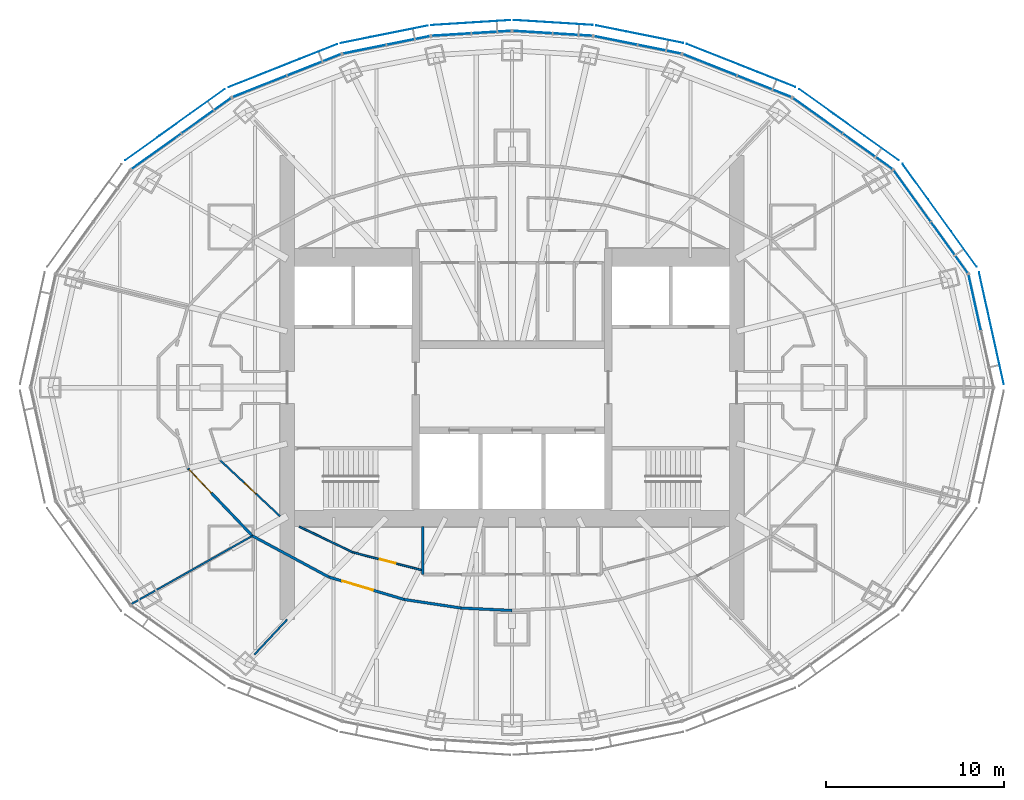
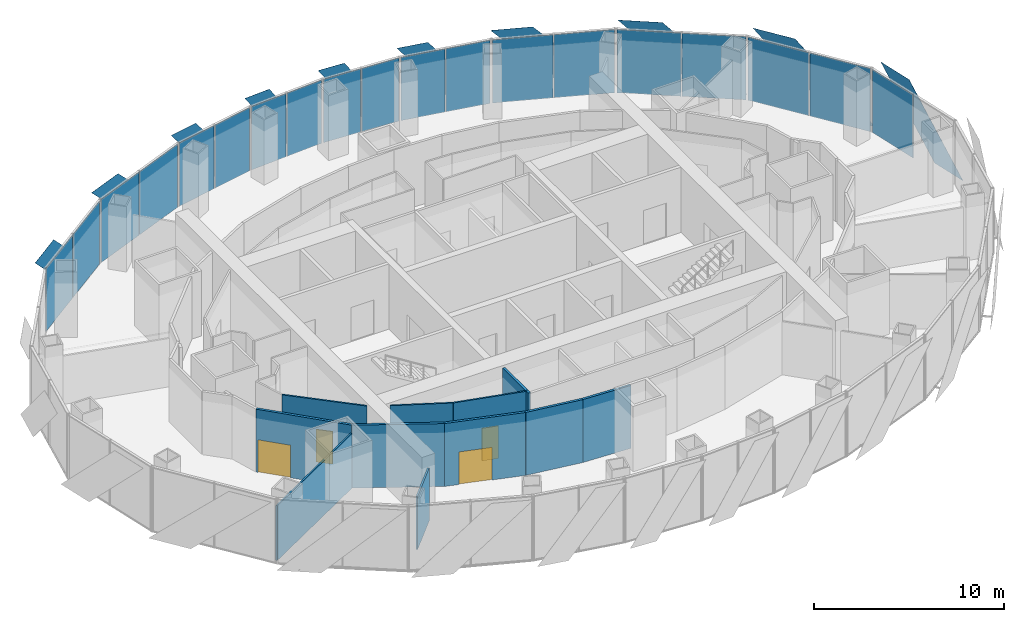
# One storey, part 11 of 17: 29 plates, 11 walls, 4 doors, 4 openings, 10 elements without a shape of their own.
"""IFC4 building model written with IfcOpenShell, lengths in metres."""

from ifc_helpers import new_model, si_unit, direction, frame, frame_2d, origin, origin_2d, place, context, subcontext, project, spatial, polyline, rectangle, outline, extrude, material, layer, layer_set, type_object, element, fill, aggregate, save


model = new_model("IFC4")

# Units and contexts
model_context = context("Model", 3, precision=1e-05, world=origin(), true_north=direction((0.0, 1.0)))
body_context = subcontext(model_context, "Body", "Model", "MODEL_VIEW")
ifc_project = project(units=[si_unit("LENGTHUNIT", "METRE"), si_unit("AREAUNIT", "SQUARE_METRE"), si_unit("VOLUMEUNIT", "CUBIC_METRE"), si_unit("PLANEANGLEUNIT", "RADIAN"), si_unit("MASSUNIT", "GRAM", prefix="KILO")], contexts=[model_context])

# Site, building, storey
site_placement = place(None, origin())
site = spatial("IfcSite", under=ifc_project, at=site_placement, CompositionType="ELEMENT")
building_placement = place(site_placement, origin())
building = spatial("IfcBuilding", under=site, at=building_placement, Name="Lantaw Convention Tower", CompositionType="ELEMENT")
storey_placement = place(building_placement, frame((0.0, 0.0, 207.39990234375)))
storey = spatial("IfcBuildingStorey", under=building, at=storey_placement, Name="L48", CompositionType="ELEMENT", Elevation=207.39990234375)

# Curtain wall, plate
ifc_material_1 = material(Name="Aluminium framed curtain wall", Category="aluminium")
curtain_wall_type = type_object("IfcCurtainWallType", Name="Office curtain wall high rise, pale aluminium", PredefinedType="USERDEFINED", material=ifc_material_1)
curtain_wall_1_placement = place(storey_placement, origin())
curtain_wall_1 = element("IfcCurtainWall", 1, at=curtain_wall_1_placement, inside=storey, type_object=curtain_wall_type, Name="Office curtain wall high rise, pale aluminium L48", ObjectType="UNITISED CURTAIN WALL", PredefinedType="USERDEFINED")
ifc_material_2 = material(Name="Clear insulating glass", Category="glass")
ifc_layer_1 = layer(ifc_material_2, 0.028076171875)
ifc_layer_set_1 = layer_set([ifc_layer_1], Name="CW-O2 panel 28")
plate_type_1 = type_object("IfcPlateType", Name="CW-O2 panel 28", PredefinedType="CURTAIN_PANEL", material=ifc_layer_set_1)
plate_1_placement = place(storey_placement, frame((25.945556640625, 4.769287109375, -0.0849609375), z_axis=(0.0, 0.0, 1.0), x_axis=(-0.215891333626, 0.976417396437, 0.0)))
plate_1 = element("IfcPlate", 2, at=plate_1_placement, type_object=plate_type_1, Name="CW-O2 panel 2.1", PredefinedType="CURTAIN_PANEL", context=body_context, shape_type="SweptSolid", body=[
    extrude(rectangle(XDim=3.169677734375, YDim=0.028076171875, at=origin_2d()), origin(), (0.0, 0.0, 1.0), 4.070068359375),
])
aggregate(curtain_wall_1, [plate_1])

# Curtain wall, plates
curtain_wall_2_placement = place(storey_placement, origin())
curtain_wall_2 = element("IfcCurtainWall", 3, at=curtain_wall_2_placement, inside=storey, type_object=curtain_wall_type, Name="Office curtain wall high rise, pale aluminium L48", ObjectType="UNITISED CURTAIN WALL", PredefinedType="USERDEFINED")
plate_2_placement = place(storey_placement, frame((24.527099609375, 7.852294921875, -0.0849609375), z_axis=(0.0, 0.0, 1.0), x_axis=(-0.585157643865, 0.810919559405, 0.0)))
plate_2 = element("IfcPlate", 4, at=plate_2_placement, type_object=plate_type_1, Name="CW-O2 panel 1.1", PredefinedType="CURTAIN_PANEL", context=body_context, shape_type="SweptSolid", body=[
    extrude(rectangle(XDim=3.500732421875, YDim=0.028076171875, at=origin_2d()), origin(), (0.0, 0.0, 1.0), 4.070068359375),
])
plate_3_placement = place(storey_placement, frame((22.4404296875, 10.743896484375, -0.0849609375), z_axis=(0.0, 0.0, 1.0), x_axis=(-0.585157643865, 0.810919559405, 0.0)))
plate_3 = element("IfcPlate", 5, at=plate_3_placement, type_object=plate_type_1, Name="CW-O2 panel 2.1", PredefinedType="CURTAIN_PANEL", context=body_context, shape_type="SweptSolid", body=[
    extrude(rectangle(XDim=3.500732421875, YDim=0.028076171875, at=origin_2d()), origin(), (0.0, 0.0, 1.0), 4.070068359375),
])
aggregate(curtain_wall_2, [plate_2, plate_3])

curtain_wall_3_placement = place(storey_placement, origin())
curtain_wall_3 = element("IfcCurtainWall", 6, at=curtain_wall_3_placement, inside=storey, type_object=curtain_wall_type, Name="Office curtain wall high rise, pale aluminium L48", ObjectType="UNITISED CURTAIN WALL", PredefinedType="USERDEFINED")
plate_4_placement = place(storey_placement, frame((19.947509765625, 13.23828125, -0.0849609375), z_axis=(0.0, 0.0, 1.0), x_axis=(-0.813672540482, 0.581323487281, 0.0)))
plate_4 = element("IfcPlate", 7, at=plate_4_placement, type_object=plate_type_1, Name="CW-O2 panel 1.1", PredefinedType="CURTAIN_PANEL", context=body_context, shape_type="SweptSolid", body=[
    extrude(rectangle(XDim=3.386474609375, YDim=0.028076171875, at=origin_2d()), origin(), (0.0, 0.0, 1.0), 4.070068359375),
])
plate_5_placement = place(storey_placement, frame((17.13916015625, 15.24462890625, -0.0849609375), z_axis=(0.0, 0.0, 1.0), x_axis=(-0.813672540482, 0.581323487281, 0.0)))
plate_5 = element("IfcPlate", 8, at=plate_5_placement, type_object=plate_type_1, Name="CW-O2 panel 2.1", PredefinedType="CURTAIN_PANEL", context=body_context, shape_type="SweptSolid", body=[
    extrude(rectangle(XDim=3.386474609375, YDim=0.028076171875, at=origin_2d()), origin(), (0.0, 0.0, 1.0), 4.070068359375),
])
aggregate(curtain_wall_3, [plate_4, plate_5])

curtain_wall_4_placement = place(storey_placement, origin())
curtain_wall_4 = element("IfcCurtainWall", 9, at=curtain_wall_4_placement, inside=storey, type_object=curtain_wall_type, Name="Office curtain wall high rise, pale aluminium L48", ObjectType="UNITISED CURTAIN WALL", PredefinedType="USERDEFINED")
plate_6_placement = place(storey_placement, frame((14.14990234375, 16.8837890625, -0.0849609375), z_axis=(0.0, 0.0, 1.0), x_axis=(-0.929761533743, 0.368162315252, 0.0)))
plate_6 = element("IfcPlate", 10, at=plate_6_placement, type_object=plate_type_1, Name="CW-O2 panel 1.1", PredefinedType="CURTAIN_PANEL", context=body_context, shape_type="SweptSolid", body=[
    extrude(rectangle(XDim=3.222900390625, YDim=0.028076171875, at=origin_2d()), origin(), (0.0, 0.0, 1.0), 4.070068359375),
])
plate_7_placement = place(storey_placement, frame((11.0927734375, 18.094482421875, -0.0849609375), z_axis=(0.0, 0.0, 1.0), x_axis=(-0.929761533743, 0.368162315252, 0.0)))
plate_7 = element("IfcPlate", 11, at=plate_7_placement, type_object=plate_type_1, Name="CW-O2 panel 2.1", PredefinedType="CURTAIN_PANEL", context=body_context, shape_type="SweptSolid", body=[
    extrude(rectangle(XDim=3.222900390625, YDim=0.028076171875, at=origin_2d()), origin(), (0.0, 0.0, 1.0), 4.070068359375),
])
aggregate(curtain_wall_4, [plate_6, plate_7])

curtain_wall_5_placement = place(storey_placement, origin())
curtain_wall_5 = element("IfcCurtainWall", 12, at=curtain_wall_5_placement, inside=storey, type_object=curtain_wall_type, Name="Office curtain wall high rise, pale aluminium L48", ObjectType="UNITISED CURTAIN WALL", PredefinedType="USERDEFINED")
plate_8_placement = place(storey_placement, frame((8.2724609375, 18.96533203125, -0.0849609375), z_axis=(0.0, 0.0, 1.0), x_axis=(-0.980366679695, 0.197183095987, 0.0)))
plate_8 = element("IfcPlate", 13, at=plate_8_placement, type_object=plate_type_1, Name="CW-O2 panel 1.1", PredefinedType="CURTAIN_PANEL", context=body_context, shape_type="SweptSolid", body=[
    extrude(rectangle(XDim=2.44384765625, YDim=0.028076171875, at=origin_2d()), origin(), (0.0, 0.0, 1.0), 4.070068359375),
])
plate_9_placement = place(storey_placement, frame((5.81298828125, 19.4599609375, -0.0849609375), z_axis=(0.0, 0.0, 1.0), x_axis=(-0.980366679695, 0.197183095987, 0.0)))
plate_9 = element("IfcPlate", 14, at=plate_9_placement, type_object=plate_type_1, Name="CW-O2 panel 2.1", PredefinedType="CURTAIN_PANEL", context=body_context, shape_type="SweptSolid", body=[
    extrude(rectangle(XDim=2.44384765625, YDim=0.028076171875, at=origin_2d()), origin(), (0.0, 0.0, 1.0), 4.070068359375),
])
aggregate(curtain_wall_5, [plate_8, plate_9])

curtain_wall_6_placement = place(storey_placement, origin())
curtain_wall_6 = element("IfcCurtainWall", 15, at=curtain_wall_6_placement, inside=storey, type_object=curtain_wall_type, Name="Office curtain wall high rise, pale aluminium L48", ObjectType="UNITISED CURTAIN WALL", PredefinedType="USERDEFINED")
plate_10_placement = place(storey_placement, frame((3.397216796875, 19.786376953125, -0.0849609375), z_axis=(0.0, 0.0, 1.0), x_axis=(-0.998028774865, 0.062757983884, 0.0)))
plate_10 = element("IfcPlate", 16, at=plate_10_placement, type_object=plate_type_1, Name="CW-O2 panel 1.1", PredefinedType="CURTAIN_PANEL", context=body_context, shape_type="SweptSolid", body=[
    extrude(rectangle(XDim=2.1826171875, YDim=0.028076171875, at=origin_2d()), origin(), (0.0, 0.0, 1.0), 4.070068359375),
])
plate_11_placement = place(storey_placement, frame((1.154052734375, 19.927490234375, -0.0849609375), z_axis=(0.0, 0.0, 1.0), x_axis=(-0.998028774865, 0.062757983884, 0.0)))
plate_11 = element("IfcPlate", 17, at=plate_11_placement, type_object=plate_type_1, Name="CW-O2 panel 2.1", PredefinedType="CURTAIN_PANEL", context=body_context, shape_type="SweptSolid", body=[
    extrude(rectangle(XDim=2.1826171875, YDim=0.028076171875, at=origin_2d()), origin(), (0.0, 0.0, 1.0), 4.070068359375),
])
aggregate(curtain_wall_6, [plate_10, plate_11])

curtain_wall_7_placement = place(storey_placement, origin())
curtain_wall_7 = element("IfcCurtainWall", 18, at=curtain_wall_7_placement, inside=storey, type_object=curtain_wall_type, Name="Office curtain wall high rise, pale aluminium L48", ObjectType="UNITISED CURTAIN WALL", PredefinedType="USERDEFINED")
plate_12_placement = place(storey_placement, frame((-1.154052734375, 19.927490234375, -0.0849609375), z_axis=(0.0, 0.0, 1.0), x_axis=(-0.998028774865, -0.062757983884, 0.0)))
plate_12 = element("IfcPlate", 19, at=plate_12_placement, type_object=plate_type_1, Name="CW-O2 panel 1.1", PredefinedType="CURTAIN_PANEL", context=body_context, shape_type="SweptSolid", body=[
    extrude(rectangle(XDim=2.1826171875, YDim=0.028076171875, at=origin_2d()), origin(), (0.0, 0.0, 1.0), 4.070068359375),
])
plate_13_placement = place(storey_placement, frame((-3.397216796875, 19.786376953125, -0.0849609375), z_axis=(0.0, 0.0, 1.0), x_axis=(-0.998028774865, -0.062757983884, 0.0)))
plate_13 = element("IfcPlate", 20, at=plate_13_placement, type_object=plate_type_1, Name="CW-O2 panel 2.1", PredefinedType="CURTAIN_PANEL", context=body_context, shape_type="SweptSolid", body=[
    extrude(rectangle(XDim=2.1826171875, YDim=0.028076171875, at=origin_2d()), origin(), (0.0, 0.0, 1.0), 4.070068359375),
])
aggregate(curtain_wall_7, [plate_12, plate_13])

curtain_wall_8_placement = place(storey_placement, origin())
curtain_wall_8 = element("IfcCurtainWall", 21, at=curtain_wall_8_placement, inside=storey, type_object=curtain_wall_type, Name="Office curtain wall high rise, pale aluminium L48", ObjectType="UNITISED CURTAIN WALL", PredefinedType="USERDEFINED")
plate_14_placement = place(storey_placement, frame((-5.81298828125, 19.4599609375, -0.0849609375), z_axis=(0.0, 0.0, 1.0), x_axis=(-0.980366679695, -0.197183095987, 0.0)))
plate_14 = element("IfcPlate", 22, at=plate_14_placement, type_object=plate_type_1, Name="CW-O2 panel 1.1", PredefinedType="CURTAIN_PANEL", context=body_context, shape_type="SweptSolid", body=[
    extrude(rectangle(XDim=2.44384765625, YDim=0.028076171875, at=origin_2d()), origin(), (0.0, 0.0, 1.0), 4.070068359375),
])
plate_15_placement = place(storey_placement, frame((-8.2724609375, 18.96533203125, -0.0849609375), z_axis=(0.0, 0.0, 1.0), x_axis=(-0.980366679695, -0.197183095987, 0.0)))
plate_15 = element("IfcPlate", 23, at=plate_15_placement, type_object=plate_type_1, Name="CW-O2 panel 2.1", PredefinedType="CURTAIN_PANEL", context=body_context, shape_type="SweptSolid", body=[
    extrude(rectangle(XDim=2.44384765625, YDim=0.028076171875, at=origin_2d()), origin(), (0.0, 0.0, 1.0), 4.070068359375),
])
aggregate(curtain_wall_8, [plate_14, plate_15])

curtain_wall_9_placement = place(storey_placement, origin())
curtain_wall_9 = element("IfcCurtainWall", 24, at=curtain_wall_9_placement, inside=storey, type_object=curtain_wall_type, Name="Office curtain wall high rise, pale aluminium L48", ObjectType="UNITISED CURTAIN WALL", PredefinedType="USERDEFINED")
plate_16_placement = place(storey_placement, frame((-11.0927734375, 18.094482421875, -0.0849609375), z_axis=(0.0, 0.0, 1.0), x_axis=(-0.929761533743, -0.368162315252, 0.0)))
plate_16 = element("IfcPlate", 25, at=plate_16_placement, type_object=plate_type_1, Name="CW-O2 panel 1.1", PredefinedType="CURTAIN_PANEL", context=body_context, shape_type="SweptSolid", body=[
    extrude(rectangle(XDim=3.222900390625, YDim=0.028076171875, at=origin_2d()), origin(), (0.0, 0.0, 1.0), 4.070068359375),
])
plate_17_placement = place(storey_placement, frame((-14.14990234375, 16.8837890625, -0.0849609375), z_axis=(0.0, 0.0, 1.0), x_axis=(-0.929761533743, -0.368162315252, 0.0)))
plate_17 = element("IfcPlate", 26, at=plate_17_placement, type_object=plate_type_1, Name="CW-O2 panel 2.1", PredefinedType="CURTAIN_PANEL", context=body_context, shape_type="SweptSolid", body=[
    extrude(rectangle(XDim=3.222900390625, YDim=0.028076171875, at=origin_2d()), origin(), (0.0, 0.0, 1.0), 4.070068359375),
])
aggregate(curtain_wall_9, [plate_16, plate_17])

curtain_wall_10_placement = place(storey_placement, origin())
curtain_wall_10 = element("IfcCurtainWall", 27, at=curtain_wall_10_placement, inside=storey, type_object=curtain_wall_type, Name="Office curtain wall high rise, pale aluminium L48", ObjectType="UNITISED CURTAIN WALL", PredefinedType="USERDEFINED")
plate_18_placement = place(storey_placement, frame((-17.13916015625, 15.24462890625, -0.0849609375), z_axis=(0.0, 0.0, 1.0), x_axis=(-0.813672540482, -0.581323487281, 0.0)))
plate_18 = element("IfcPlate", 28, at=plate_18_placement, type_object=plate_type_1, Name="CW-O2 panel 1.1", PredefinedType="CURTAIN_PANEL", context=body_context, shape_type="SweptSolid", body=[
    extrude(rectangle(XDim=3.386474609375, YDim=0.028076171875, at=origin_2d()), origin(), (0.0, 0.0, 1.0), 4.070068359375),
])
plate_19_placement = place(storey_placement, frame((-19.947509765625, 13.23828125, -0.0849609375), z_axis=(0.0, 0.0, 1.0), x_axis=(-0.813672540482, -0.581323487281, 0.0)))
plate_19 = element("IfcPlate", 29, at=plate_19_placement, type_object=plate_type_1, Name="CW-O2 panel 2.1", PredefinedType="CURTAIN_PANEL", context=body_context, shape_type="SweptSolid", body=[
    extrude(rectangle(XDim=3.386474609375, YDim=0.028076171875, at=origin_2d()), origin(), (0.0, 0.0, 1.0), 4.070068359375),
])
aggregate(curtain_wall_10, [plate_18, plate_19])

# Plates
ifc_material_3 = material(Name="Perforated aluminium sheet, pale silver finish", Category="aluminium")
ifc_layer_2 = layer(ifc_material_3, 0.006103515625)
ifc_layer_set_2 = layer_set([ifc_layer_2], Name="Perforated aluminium solar SCREEN panel")
plate_type_2 = type_object("IfcPlateType", Name="Perforated aluminium solar SCREEN panel", PredefinedType="SHEET", material=ifc_layer_set_2)
plate_20_placement = place(storey_placement, frame((27.580810546875, 0.1796875, -0.1748046875), z_axis=(0.976429511424, 0.215836529031, 4.4221925e-05), x_axis=(-0.215836529242, 0.976429512379, 0.0)))
element("IfcPlate", 30, at=plate_20_placement, inside=storey, type_object=plate_type_2, Name="Solar SCREEN panel", PredefinedType="SHEET", context=body_context, shape_type="SweptSolid", body=[
    extrude(outline(polyline([(0.0, 0.0), (2.2215525295212517, 3.3881317890172014e-21), (6.4341686174090675, 4.339843754243453), (4.212616087887817, 4.339843754243453), (0.0, 0.0)])), origin(), (0.0, 0.0, -1.0), 0.006103515625),
])
plate_21_placement = place(storey_placement, frame((26.051513671875, 6.775390625, -0.1748046875), z_axis=(-0.810892289695, -0.585195432394, 2.0459565e-05), x_axis=(-0.585195432516, 0.810892289865, 0.0)))
element("IfcPlate", 31, at=plate_21_placement, inside=storey, type_object=plate_type_2, Name="Solar SCREEN panel", PredefinedType="SHEET", context=body_context, shape_type="SweptSolid", body=[
    extrude(outline(polyline([(0.0, 0.0), (2.4468488406832853, 0.0), (7.096610466675719, -4.339843750908316), (4.649761625992434, -4.339843750908316), (0.0, 0.0)])), origin(), (0.0, 0.0, -1.0), 0.006103515625),
])
plate_22_placement = place(storey_placement, frame((21.689697265625, 12.73828125, -0.1748046875), z_axis=(0.581330799771, 0.813667316006, 1.0072981e-05), x_axis=(-0.813667316047, 0.5813307998, 3.02e-10)))
element("IfcPlate", 32, at=plate_22_placement, inside=storey, type_object=plate_type_2, Name="Solar SCREEN panel", PredefinedType="SHEET", context=body_context, shape_type="SweptSolid", body=[
    extrude(outline(polyline([(0.0, 0.0), (2.36914164286685, -1.6940658945086007e-21), (6.867806096558412, 4.339843748148034), (4.498863102938643, 4.3398437495775966), (0.0, 0.0)])), origin(), (0.0, 0.0, -1.0), 0.006103515625),
])
plate_23_placement = place(storey_placement, frame((15.88525390625, 16.8486328125, -0.1748046875), z_axis=(-0.368116612072, -0.929779629081, 3.5535267e-05), x_axis=(-0.929779629668, 0.368116612304, -1.786e-09)))
element("IfcPlate", 33, at=plate_23_placement, inside=storey, type_object=plate_type_2, Name="Solar SCREEN panel", PredefinedType="SHEET", context=body_context, shape_type="SweptSolid", body=[
    extrude(outline(polyline([(0.0, 0.0), (2.2578720663572183, -6.776263578034403e-21), (6.540904465438181, -4.339843764423989), (4.282942526861161, -4.33984375635743), (0.0, 0.0)])), origin(), (0.0, 0.0, -1.0), 0.006103515625),
])
plate_24_placement = place(storey_placement, frame((9.6044921875, 19.315673828125, -0.1748046875), z_axis=(-0.197162069853, -0.980370908428, 1.0904697e-05), x_axis=(-0.980370908486, 0.197162069865, -7.55e-10)))
element("IfcPlate", 34, at=plate_24_placement, inside=storey, type_object=plate_type_2, Name="Solar SCREEN panel", PredefinedType="SHEET", context=body_context, shape_type="SweptSolid", body=[
    extrude(outline(polyline([(0.0, 0.0), (1.7279870169553606, 0.0), (4.982578440602753, -4.339843754020975), (3.2545432883764285, -4.339843751410917), (0.0, 0.0)])), origin(), (0.0, 0.0, -1.0), 0.006103515625),
])
plate_25_placement = place(storey_placement, frame((4.539306640625, 20.32177734375, -0.1748046875), z_axis=(-0.062672387577, -0.998034151922, 5.8589976e-05), x_axis=(-0.998034153635, 0.062672387685, 0.0)))
element("IfcPlate", 35, at=plate_25_placement, inside=storey, type_object=plate_type_2, Name="Solar SCREEN panel", PredefinedType="SHEET", context=body_context, shape_type="SweptSolid", body=[
    extrude(outline(polyline([(0.0, 0.0), (1.5504111513762302, 8.470329472543003e-22), (4.460200019412434, -4.339843757448876), (2.9097888680362036, -4.339843757448876), (0.0, 0.0)])), origin(), (0.0, 0.0, -1.0), 0.006103515625),
])
plate_26_placement = place(storey_placement, frame((-0.087890625, 20.6015625, -0.1748046875), z_axis=(-0.062672387577, 0.998034151922, 5.8589976e-05), x_axis=(-0.998034153635, -0.062672387685, 0.0)))
element("IfcPlate", 36, at=plate_26_placement, inside=storey, type_object=plate_type_2, Name="Solar SCREEN panel", PredefinedType="SHEET", context=body_context, shape_type="SweptSolid", body=[
    extrude(outline(polyline([(0.0, 0.0), (1.5504111513762302, -8.470329472543003e-22), (4.460200019412434, 4.339843757448876), (2.9097888680362036, 4.339843757448876), (0.0, 0.0)])), origin(), (0.0, 0.0, -1.0), 0.006103515625),
])
plate_27_placement = place(storey_placement, frame((-4.7197265625, 20.298095703125, -0.1748046875), z_axis=(-0.197162069853, 0.980370908428, 1.0904697e-05), x_axis=(-0.980370908486, -0.197162069865, 7.55e-10)))
element("IfcPlate", 37, at=plate_27_placement, inside=storey, type_object=plate_type_2, Name="Solar SCREEN panel", PredefinedType="SHEET", context=body_context, shape_type="SweptSolid", body=[
    extrude(outline(polyline([(0.0, 0.0), (1.7280351522263238, 0.0), (4.982578447157737, 4.339843746495192), (3.2545914302023755, 4.339843749105177), (0.0, 0.0)])), origin(), (0.0, 0.0, -1.0), 0.006103515625),
])
plate_28_placement = place(storey_placement, frame((-9.8037109375, 19.256591796875, -0.1748046875), z_axis=(-0.368116612072, 0.929779629081, 3.5535267e-05), x_axis=(-0.929779629668, -0.368116612304, 1.786e-09)))
element("IfcPlate", 38, at=plate_28_placement, inside=storey, type_object=plate_type_2, Name="Solar SCREEN panel", PredefinedType="SHEET", context=body_context, shape_type="SweptSolid", body=[
    extrude(outline(polyline([(0.0, 0.0), (2.257961938577019, 6.776263578034403e-21), (6.540904480942253, 4.339843741056637), (4.283032414585034, 4.339843749122875), (0.0, 0.0)])), origin(), (0.0, 0.0, -1.0), 0.006103515625),
])
plate_29_placement = place(storey_placement, frame((-16.1015625, 16.730712890625, -0.1748046875), z_axis=(0.581330799771, -0.813667316006, 1.0072981e-05), x_axis=(-0.813667316047, -0.5813307998, -3.02e-10)))
element("IfcPlate", 39, at=plate_29_placement, inside=storey, type_object=plate_type_2, Name="Solar SCREEN panel", PredefinedType="SHEET", context=body_context, shape_type="SweptSolid", body=[
    extrude(outline(polyline([(0.0, 0.0), (2.3689429936197683, -1.6940658945086007e-21), (6.867806093939489, -4.339843752292481), (4.498664451072639, -4.339843750862799), (0.0, 0.0)])), origin(), (0.0, 0.0, -1.0), 0.006103515625),
])

# Wall, opening, door
ifc_material_4 = material(Name="Gypsum board on steel studs, fire rated", Category="steel")
ifc_layer_3 = layer(ifc_material_4, 0.14990234375)
ifc_layer_set_3 = layer_set([ifc_layer_3], Name="Corridor wall 150 EI 60")
wall_type_1 = type_object("IfcWallType", Name="Corridor wall 150 EI 60", PredefinedType="PARTITIONING", material=ifc_layer_set_3)
wall_1_placement = place(storey_placement, frame((-18.173583984375, -4.53125, 0.0), z_axis=(0.0, 0.0, 1.0), x_axis=(0.690768413292, -0.723076067366, 0.0)))
wall_1 = element("IfcWall", 40, at=wall_1_placement, inside=storey, type_object=wall_type_1, Name="Corridor wall 150", PredefinedType="PARTITIONING", context=body_context, shape_type="SweptSolid", body=[
    extrude(rectangle(XDim=5.23681640625, YDim=0.14990234375, at=frame_2d((2.618408203125, 0.0))), origin(), (0.0, 0.0, 1.0), 4.050048828125),
])
opening_1_placement = place(wall_1_placement, frame((0.10009765625, 0.0, 0.0)))
opening_1 = element("IfcOpeningElement", 41, at=opening_1_placement, cuts=wall_1, Name="Opening L48.32", PredefinedType="OPENING", context=body_context, shape_type="SweptSolid", body=[
    extrude(rectangle(XDim=1.800048828125, YDim=2.10009765625, at=frame_2d((0.89990234375, 1.050048828125))), frame((0.0, 0.0849609375, 0.0), z_axis=(0.0, -1.0, 0.0), x_axis=(1.0, 0.0, 0.0)), (0.0, 0.0, 1.0), 0.169921875),
])
ifc_material_5 = material(Name="Steel, fire rated", Category="steel")
door_type_1 = type_object("IfcDoorType", Name="Office double door 1800 FD30", OperationType="DOUBLE_DOOR_DOUBLE_SWING", PredefinedType="DOOR", material=ifc_material_5)
door_1_placement = place(opening_1_placement, origin())
door_1 = element("IfcDoor", 42, at=door_1_placement, inside=storey, type_object=door_type_1, Name="Boardroom door", OperationType="DOUBLE_DOOR_DOUBLE_SWING", OverallHeight=2.10009765625, OverallWidth=1.800048828125, PredefinedType="DOOR", context=body_context, shape_type="SweptSolid", body=[
    extrude(rectangle(XDim=1.800048828125, YDim=2.10009765625, at=frame_2d((0.89990234375, 1.050048828125))), frame((0.0, 0.02490234375, 0.0), z_axis=(0.0, -1.0, 0.0), x_axis=(1.0, 0.0, 0.0)), (0.0, 0.0, 1.0), 0.050048828125),
])
fill(opening_1, door_1)

# Wall
wall_2_placement = place(storey_placement, frame((-14.55615234375, -8.31787109375, 0.0), z_axis=(0.0, 0.0, 1.0), x_axis=(0.88053863253, -0.47397438393, 0.0)))
element("IfcWall", 43, at=wall_2_placement, inside=storey, type_object=wall_type_1, Name="Corridor wall 150", PredefinedType="PARTITIONING", context=body_context, shape_type="SweptSolid", body=[
    extrude(rectangle(XDim=4.874755859375, YDim=0.14990234375, at=frame_2d((2.4375, 0.0))), origin(), (0.0, 0.0, 1.0), 4.050048828125),
])

# Wall, opening, door
wall_3_placement = place(storey_placement, frame((-10.263671875, -10.62841796875, 0.0), z_axis=(0.0, 0.0, 1.0), x_axis=(0.958384389306, -0.285480931648, 0.0)))
wall_3 = element("IfcWall", 44, at=wall_3_placement, inside=storey, type_object=wall_type_1, Name="Corridor wall 150", PredefinedType="PARTITIONING", context=body_context, shape_type="SweptSolid", body=[
    extrude(rectangle(XDim=4.392333984375, YDim=0.14990234375, at=frame_2d((2.1962890625, 0.0))), origin(), (0.0, 0.0, 1.0), 4.050048828125),
])
opening_2_placement = place(wall_3_placement, frame((0.775146484375, 0.0, 0.0)))
opening_2 = element("IfcOpeningElement", 45, at=opening_2_placement, cuts=wall_3, Name="Opening L48.33", PredefinedType="OPENING", context=body_context, shape_type="SweptSolid", body=[
    extrude(rectangle(XDim=1.800048828125, YDim=2.10009765625, at=frame_2d((0.89990234375, 1.050048828125))), frame((0.0, 0.0849609375, 0.0), z_axis=(0.0, -1.0, 0.0), x_axis=(1.0, 0.0, 0.0)), (0.0, 0.0, 1.0), 0.169921875),
])
door_2_placement = place(opening_2_placement, origin())
door_2 = element("IfcDoor", 46, at=door_2_placement, inside=storey, type_object=door_type_1, Name="Open office door", OperationType="DOUBLE_DOOR_DOUBLE_SWING", OverallHeight=2.10009765625, OverallWidth=1.800048828125, PredefinedType="DOOR", context=body_context, shape_type="SweptSolid", body=[
    extrude(rectangle(XDim=1.800048828125, YDim=2.10009765625, at=frame_2d((0.89990234375, 1.050048828125))), frame((0.0, 0.02490234375, 0.0), z_axis=(0.0, -1.0, 0.0), x_axis=(1.0, 0.0, 0.0)), (0.0, 0.0, 1.0), 0.050048828125),
])
fill(opening_2, door_2)

# Walls
wall_4_placement = place(storey_placement, frame((-6.05419921875, -11.88232421875, 0.0), z_axis=(0.0, 0.0, 1.0), x_axis=(0.988800347251, -0.149244340852, 0.0)))
element("IfcWall", 47, at=wall_4_placement, inside=storey, type_object=wall_type_1, Name="Corridor wall 150", PredefinedType="PARTITIONING", context=body_context, shape_type="SweptSolid", body=[
    extrude(rectangle(XDim=3.235595703125, YDim=0.14990234375, at=frame_2d((1.61767578125, 0.0))), origin(), (0.0, 0.0, 1.0), 4.050048828125),
])
wall_5_placement = place(storey_placement, frame((-2.854736328125, -12.365234375, 0.0), z_axis=(0.0, 0.0, 1.0), x_axis=(0.998887574055, -0.047155216016, 0.0)))
element("IfcWall", 48, at=wall_5_placement, inside=storey, type_object=wall_type_1, Name="Corridor wall 150", PredefinedType="PARTITIONING", context=body_context, shape_type="SweptSolid", body=[
    extrude(rectangle(XDim=2.85791015625, YDim=0.14990234375, at=frame_2d((1.428955078125, 0.0))), origin(), (0.0, 0.0, 1.0), 4.050048828125),
])
ifc_material_6 = material(Name="Gypsum board on steel studs, acoustic", Category="steel")
ifc_layer_4 = layer(ifc_material_6, 0.10009765625)
ifc_layer_set_4 = layer_set([ifc_layer_4], Name="Office partition 100")
wall_type_2 = type_object("IfcWallType", Name="Office partition 100", PredefinedType="PARTITIONING", material=ifc_layer_set_4)
wall_6_placement = place(storey_placement, frame((-21.3583984375, -12.149658203125, 0.0), z_axis=(0.0, 0.0, 1.0), x_axis=(0.871273053995, 0.490798599614, 0.0)))
element("IfcWall", 49, at=wall_6_placement, inside=storey, type_object=wall_type_2, Name="Office partition 100", PredefinedType="PARTITIONING", context=body_context, shape_type="SweptSolid", body=[
    extrude(rectangle(XDim=7.80712890625, YDim=0.10009765625, at=frame_2d((3.903564453125, 0.0))), origin(), (0.0, 0.0, 1.0), 3.5244140625),
])

# Wall, opening, door
wall_7_placement = place(storey_placement, frame((-13.0, -7.22216796875, 0.0), z_axis=(0.0, 0.0, 1.0), x_axis=(-0.730651186567, 0.682750938167, 0.0)))
wall_7 = element("IfcWall", 50, at=wall_7_placement, inside=storey, type_object=wall_type_2, Name="Office partition 100", PredefinedType="PARTITIONING", context=body_context, shape_type="SweptSolid", body=[
    extrude(rectangle(XDim=4.6025390625, YDim=0.10009765625, at=frame_2d((2.30126953125, 0.0))), origin(), (0.0, 0.0, 1.0), 4.050048828125),
])
opening_3_placement = place(wall_7_placement, frame((1.851318359375, 0.0, 0.0)))
opening_3 = element("IfcOpeningElement", 51, at=opening_3_placement, cuts=wall_7, Name="Opening L48.22", PredefinedType="OPENING", context=body_context, shape_type="SweptSolid", body=[
    extrude(rectangle(XDim=0.89990234375, YDim=2.10009765625, at=frame_2d((0.449951171875, 1.050048828125))), frame((0.0, 0.06005859375, 0.0), z_axis=(0.0, -1.0, 0.0), x_axis=(1.0, 0.0, 0.0)), (0.0, 0.0, 1.0), 0.1201171875),
])
ifc_material_7 = material(Name="Timber", Category="wood")
door_type_2 = type_object("IfcDoorType", Name="Office door 900", OperationType="SINGLE_SWING_LEFT", PredefinedType="DOOR", material=ifc_material_7)
door_3_placement = place(opening_3_placement, origin())
door_3 = element("IfcDoor", 52, at=door_3_placement, inside=storey, type_object=door_type_2, Name="Meeting room door", OperationType="SINGLE_SWING_LEFT", OverallHeight=2.10009765625, OverallWidth=0.89990234375, PredefinedType="DOOR", context=body_context, shape_type="SweptSolid", body=[
    extrude(rectangle(XDim=0.89990234375, YDim=2.10009765625, at=frame_2d((0.449951171875, 1.050048828125))), frame((0.0, 0.02490234375, 0.0), z_axis=(0.0, -1.0, 0.0), x_axis=(1.0, 0.0, 0.0)), (0.0, 0.0, 1.0), 0.050048828125),
])
fill(opening_3, door_3)

wall_8_placement = place(storey_placement, frame((-5.0, -10.254150390625, 0.0), z_axis=(0.0, 0.0, 1.0), x_axis=(-0.968224167198, 0.250083910027, 0.0)))
wall_8 = element("IfcWall", 53, at=wall_8_placement, inside=storey, type_object=wall_type_2, Name="Office partition 100", PredefinedType="PARTITIONING", context=body_context, shape_type="SweptSolid", body=[
    extrude(rectangle(XDim=4.05224609375, YDim=0.10009765625, at=frame_2d((2.026123046875, 0.0))), origin(), (0.0, 0.0, 1.0), 4.050048828125),
])
opening_4_placement = place(wall_8_placement, frame((1.576171875, 0.0, 0.0)))
opening_4 = element("IfcOpeningElement", 54, at=opening_4_placement, cuts=wall_8, Name="Opening L48.23", PredefinedType="OPENING", context=body_context, shape_type="SweptSolid", body=[
    extrude(rectangle(XDim=0.89990234375, YDim=2.10009765625, at=frame_2d((0.449951171875, 1.050048828125))), frame((0.0, 0.06005859375, 0.0), z_axis=(0.0, -1.0, 0.0), x_axis=(1.0, 0.0, 0.0)), (0.0, 0.0, 1.0), 0.1201171875),
])
door_4_placement = place(opening_4_placement, origin())
door_4 = element("IfcDoor", 55, at=door_4_placement, inside=storey, type_object=door_type_2, Name="Project room door", OperationType="SINGLE_SWING_LEFT", OverallHeight=2.10009765625, OverallWidth=0.89990234375, PredefinedType="DOOR", context=body_context, shape_type="SweptSolid", body=[
    extrude(rectangle(XDim=0.89990234375, YDim=2.10009765625, at=frame_2d((0.449951171875, 1.050048828125))), frame((0.0, 0.02490234375, 0.0), z_axis=(0.0, -1.0, 0.0), x_axis=(1.0, 0.0, 0.0)), (0.0, 0.0, 1.0), 0.050048828125),
])
fill(opening_4, door_4)

# Walls
wall_9_placement = place(storey_placement, frame((-8.923583984375, -9.24072265625, 0.0), z_axis=(0.0, 0.0, 1.0), x_axis=(-0.901553947207, 0.432666708073, 0.0)))
element("IfcWall", 56, at=wall_9_placement, inside=storey, type_object=wall_type_2, Name="Office partition 100", PredefinedType="PARTITIONING", context=body_context, shape_type="SweptSolid", body=[
    extrude(rectangle(XDim=3.329833984375, YDim=0.10009765625, at=frame_2d((1.6650390625, 0.0))), origin(), (0.0, 0.0, 1.0), 4.050048828125),
])
wall_10_placement = place(storey_placement, frame((-12.60009765625, -13.0, 0.0), z_axis=(0.0, 0.0, 1.0), x_axis=(-0.682434118301, -0.730947107648, 0.0)))
element("IfcWall", 57, at=wall_10_placement, inside=storey, type_object=wall_type_2, Name="Office partition 100", PredefinedType="PARTITIONING", context=body_context, shape_type="SweptSolid", body=[
    extrude(rectangle(XDim=2.702392578125, YDim=0.10009765625, at=frame_2d((1.35107421875, 0.0))), origin(), (0.0, 0.0, 1.0), 3.409912109375),
])
ifc_material_8 = material(Name="Concrete blockwork", Category="masonry")
ifc_layer_5 = layer(ifc_material_8, 0.14990234375)
ifc_layer_set_5 = layer_set([ifc_layer_5], Name="WC wall 150")
wall_type_3 = type_object("IfcWallType", Name="WC wall 150", PredefinedType="SOLIDWALL", material=ifc_layer_set_5)
wall_11_placement = place(storey_placement, frame((-5.0, -7.800048828125, 0.0), z_axis=(0.0, 0.0, 1.0), x_axis=(0.0, -1.0, 0.0)))
element("IfcWall", 58, at=wall_11_placement, inside=storey, type_object=wall_type_3, Name="WC wall 150", PredefinedType="SOLIDWALL", context=body_context, shape_type="SweptSolid", body=[
    extrude(rectangle(XDim=2.681884765625, YDim=0.14990234375, at=frame_2d((1.3408203125, 0.0))), origin(), (0.0, 0.0, 1.0), 4.050048828125),
])

save(model, "model.ifc")
